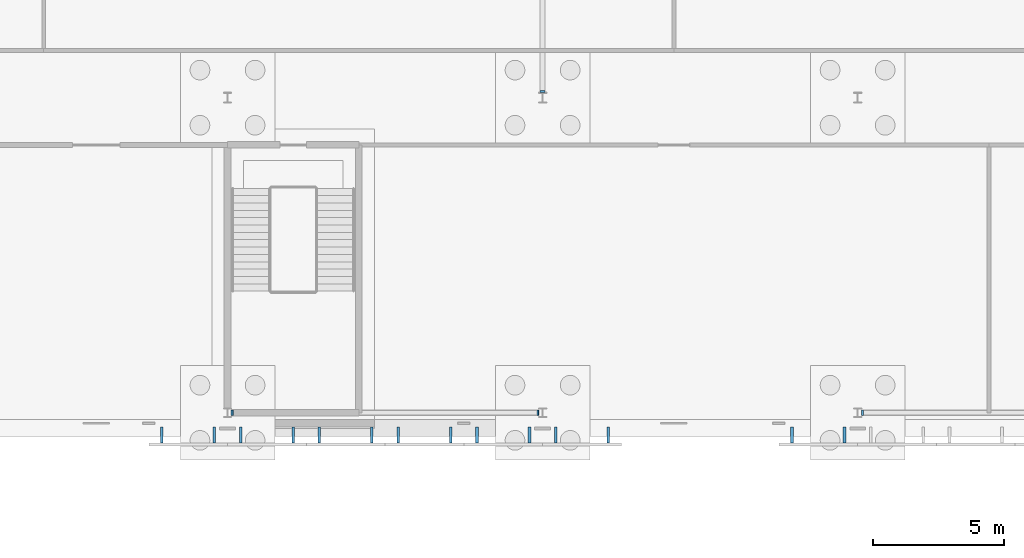
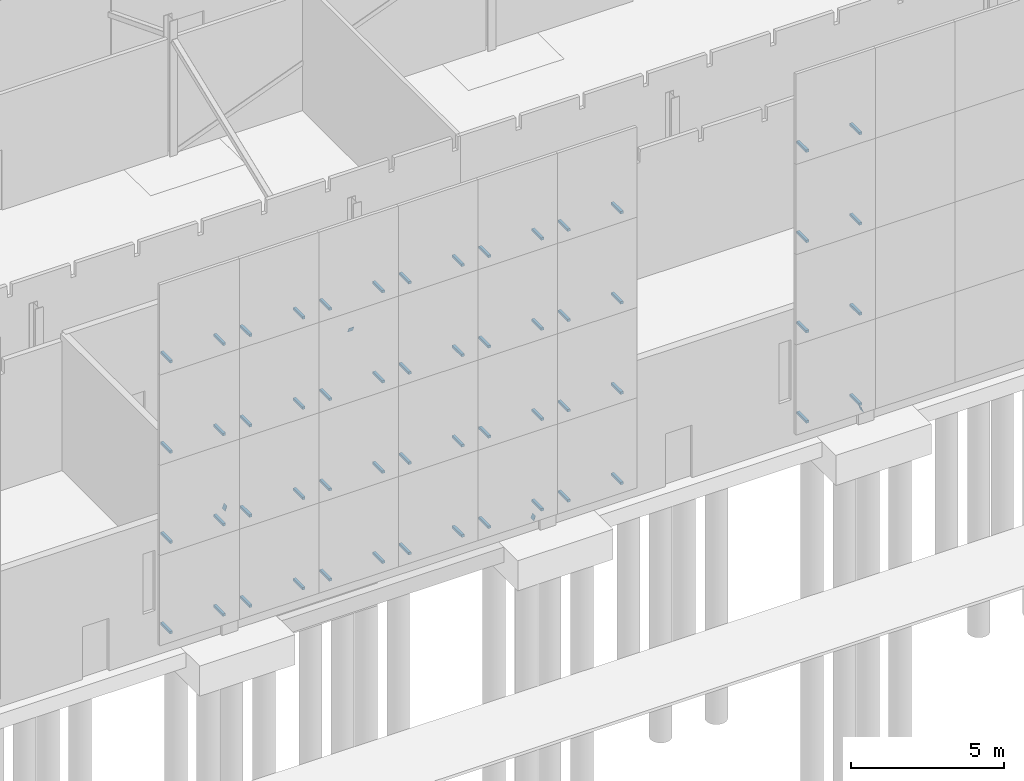
# One storey, part 98 of 132: 60 discrete accessories.
"""IFC4 building model written with IfcOpenShell, lengths in metres."""

from ifc_helpers import new_model, si_unit, direction, frame, origin, origin_2d, place, context, subcontext, project, spatial, rectangle, extrude, material, material_profile, profile_set, type_object, element, save


model = new_model("IFC4")

# Units and contexts
model_context = context("Model", 3, precision=1e-05, world=origin(), true_north=direction((0.0, 1.0)))
body_context = subcontext(model_context, "Body", "Model", "MODEL_VIEW")
ifc_project = project(units=[si_unit("LENGTHUNIT", "METRE"), si_unit("AREAUNIT", "SQUARE_METRE"), si_unit("VOLUMEUNIT", "CUBIC_METRE"), si_unit("PLANEANGLEUNIT", "RADIAN"), si_unit("MASSUNIT", "GRAM", prefix="KILO")], contexts=[model_context])

# Site, building, storey
site_placement = place(None, origin())
site = spatial("IfcSite", under=ifc_project, at=site_placement, CompositionType="ELEMENT")
building_placement = place(site_placement, origin())
building = spatial("IfcBuilding", under=site, at=building_placement, Name="Ravi Spectrum Wholesale Market", CompositionType="ELEMENT")
storey_placement = place(building_placement, origin())
storey = spatial("IfcBuildingStorey", under=building, at=storey_placement, Name="L00", CompositionType="ELEMENT", Elevation=0.0)

# Discrete accessories
ifc_material_1 = material(Name="Steel S355", Category="steel")
ifc_material_profile = material_profile(ifc_material_1, rectangle(XDim=0.199951171875, YDim=0.199951171875, at=origin_2d()))
ifc_profile_set = profile_set([ifc_material_profile], Name="Steel S355")
discrete_accessory_type_1 = type_object("IfcDiscreteAccessoryType", Name="End plate SHS 200x200x8", PredefinedType="BRACKET", material=ifc_profile_set)
for number, where, z_axis, x_axis, name in (
    (1, (234.185791015625, 18.0, 4.556640625), (-0.931242779706, 0.0, 0.364399348581), (0.0, -1.0, 0.0), "End plate"),
    (2, (245.814208984375, 18.0, 0.09326171875), (0.937994498829, 0.0, -0.346650140872), (0.0, 1.0, 0.0), "End plate"),
    (3, (258.185791015625, 18.0, 0.09326171875), (-0.937994498829, 0.0, -0.346650140872), (0.0, -1.0, 0.0), "End plate"),
    (4, (246.0, 30.236572265625, 0.093017578125), (0.0, -0.931242779706, -0.364399348581), (1.0, 0.0, 0.0), "End plate"),
):
    element("IfcDiscreteAccessory", number, at=place(storey_placement, frame(where, z_axis=z_axis, x_axis=x_axis)), inside=storey, type_object=discrete_accessory_type_1, Name=name, PredefinedType="BRACKET", context=body_context, shape_type="SweptSolid", body=[
        extrude(rectangle(XDim=0.199951171875, YDim=0.199951171875, at=origin_2d()), origin(), (0.0, 0.0, 1.0), 0.011962890625),
    ])
ifc_material_2 = material(Name="Steel S355", Category="steel")
discrete_accessory_type_2 = type_object("IfcDiscreteAccessoryType", Name="Steel angle bracket 100 x 115", PredefinedType="BRACKET", material=ifc_material_2)
for number, where, z_axis, x_axis, name in (
    (5, (231.5, 17.14990234375, 1.14990234375), (0.0, 0.0, 1.0), (1.0, 0.0, 0.0), "Screen bracket"),
    (6, (233.5, 17.14990234375, 1.14990234375), (0.0, 0.0, 1.0), (1.0, 0.0, 0.0), "Screen bracket"),
    (7, (231.5, 17.14990234375, 4.75), (0.0, 0.0, 1.0), (1.0, 0.0, 0.0), "Screen bracket"),
    (8, (233.5, 17.14990234375, 4.75), (0.0, 0.0, 1.0), (1.0, 0.0, 0.0), "Screen bracket"),
    (9, (231.5, 17.14990234375, 8.349853515625), (0.0, 0.0, 1.0), (1.0, 0.0, 0.0), "Screen bracket"),
    (10, (233.5, 17.14990234375, 8.349853515625), (0.0, 0.0, 1.0), (1.0, 0.0, 0.0), "Screen bracket"),
    (11, (231.5, 17.14990234375, 11.949951171875), (0.0, 0.0, 1.0), (1.0, 0.0, 0.0), "Screen bracket"),
    (12, (233.5, 17.14990234375, 11.949951171875), (0.0, 0.0, 1.0), (1.0, 0.0, 0.0), "Screen bracket"),
    (13, (234.5, 17.14990234375, 1.14990234375), (0.0, 0.0, 1.0), (1.0, 0.0, 0.0), "Screen bracket"),
    (14, (236.5, 17.14990234375, 1.14990234375), (0.0, 0.0, 1.0), (1.0, 0.0, 0.0), "Screen bracket"),
    (15, (234.5, 17.14990234375, 4.75), (0.0, 0.0, 1.0), (1.0, 0.0, 0.0), "Screen bracket"),
    (16, (236.5, 17.14990234375, 4.75), (0.0, 0.0, 1.0), (1.0, 0.0, 0.0), "Screen bracket"),
    (17, (234.5, 17.14990234375, 8.349853515625), (0.0, 0.0, 1.0), (1.0, 0.0, 0.0), "Screen bracket"),
    (18, (236.5, 17.14990234375, 8.349853515625), (0.0, 0.0, 1.0), (1.0, 0.0, 0.0), "Screen bracket"),
    (19, (234.5, 17.14990234375, 11.949951171875), (0.0, 0.0, 1.0), (1.0, 0.0, 0.0), "Screen bracket"),
    (20, (236.5, 17.14990234375, 11.949951171875), (0.0, 0.0, 1.0), (1.0, 0.0, 0.0), "Screen bracket"),
    (21, (237.5, 17.14990234375, 1.14990234375), (0.0, 0.0, 1.0), (1.0, 0.0, 0.0), "Screen bracket"),
    (22, (239.5, 17.14990234375, 1.14990234375), (0.0, 0.0, 1.0), (1.0, 0.0, 0.0), "Screen bracket"),
    (23, (237.5, 17.14990234375, 4.75), (0.0, 0.0, 1.0), (1.0, 0.0, 0.0), "Screen bracket"),
    (24, (239.5, 17.14990234375, 4.75), (0.0, 0.0, 1.0), (1.0, 0.0, 0.0), "Screen bracket"),
    (25, (237.5, 17.14990234375, 8.349853515625), (0.0, 0.0, 1.0), (1.0, 0.0, 0.0), "Screen bracket"),
    (26, (239.5, 17.14990234375, 8.349853515625), (0.0, 0.0, 1.0), (1.0, 0.0, 0.0), "Screen bracket"),
    (27, (237.5, 17.14990234375, 11.949951171875), (0.0, 0.0, 1.0), (1.0, 0.0, 0.0), "Screen bracket"),
    (28, (239.5, 17.14990234375, 11.949951171875), (0.0, 0.0, 1.0), (1.0, 0.0, 0.0), "Screen bracket"),
    (29, (240.5, 17.14990234375, 1.14990234375), (0.0, 0.0, 1.0), (1.0, 0.0, 0.0), "Screen bracket"),
    (30, (242.5, 17.14990234375, 1.14990234375), (0.0, 0.0, 1.0), (1.0, 0.0, 0.0), "Screen bracket"),
    (31, (240.5, 17.14990234375, 4.75), (0.0, 0.0, 1.0), (1.0, 0.0, 0.0), "Screen bracket"),
    (32, (242.5, 17.14990234375, 4.75), (0.0, 0.0, 1.0), (1.0, 0.0, 0.0), "Screen bracket"),
    (33, (240.5, 17.14990234375, 8.349853515625), (0.0, 0.0, 1.0), (1.0, 0.0, 0.0), "Screen bracket"),
    (34, (242.5, 17.14990234375, 8.349853515625), (0.0, 0.0, 1.0), (1.0, 0.0, 0.0), "Screen bracket"),
    (35, (240.5, 17.14990234375, 11.949951171875), (0.0, 0.0, 1.0), (1.0, 0.0, 0.0), "Screen bracket"),
    (36, (242.5, 17.14990234375, 11.949951171875), (0.0, 0.0, 1.0), (1.0, 0.0, 0.0), "Screen bracket"),
    (37, (243.5, 17.14990234375, 1.14990234375), (0.0, 0.0, 1.0), (1.0, 0.0, 0.0), "Screen bracket"),
    (38, (245.5, 17.14990234375, 1.14990234375), (0.0, 0.0, 1.0), (1.0, 0.0, 0.0), "Screen bracket"),
    (39, (243.5, 17.14990234375, 4.75), (0.0, 0.0, 1.0), (1.0, 0.0, 0.0), "Screen bracket"),
    (40, (245.5, 17.14990234375, 4.75), (0.0, 0.0, 1.0), (1.0, 0.0, 0.0), "Screen bracket"),
    (41, (243.5, 17.14990234375, 8.349853515625), (0.0, 0.0, 1.0), (1.0, 0.0, 0.0), "Screen bracket"),
    (42, (245.5, 17.14990234375, 8.349853515625), (0.0, 0.0, 1.0), (1.0, 0.0, 0.0), "Screen bracket"),
    (43, (243.5, 17.14990234375, 11.949951171875), (0.0, 0.0, 1.0), (1.0, 0.0, 0.0), "Screen bracket"),
    (44, (245.5, 17.14990234375, 11.949951171875), (0.0, 0.0, 1.0), (1.0, 0.0, 0.0), "Screen bracket"),
    (45, (246.5, 17.14990234375, 1.14990234375), (0.0, 0.0, 1.0), (1.0, 0.0, 0.0), "Screen bracket"),
    (46, (248.5, 17.14990234375, 1.14990234375), (0.0, 0.0, 1.0), (1.0, 0.0, 0.0), "Screen bracket"),
    (47, (246.5, 17.14990234375, 4.75), (0.0, 0.0, 1.0), (1.0, 0.0, 0.0), "Screen bracket"),
    (48, (248.5, 17.14990234375, 4.75), (0.0, 0.0, 1.0), (1.0, 0.0, 0.0), "Screen bracket"),
    (49, (246.5, 17.14990234375, 8.349853515625), (0.0, 0.0, 1.0), (1.0, 0.0, 0.0), "Screen bracket"),
    (50, (248.5, 17.14990234375, 8.349853515625), (0.0, 0.0, 1.0), (1.0, 0.0, 0.0), "Screen bracket"),
    (51, (246.5, 17.14990234375, 11.949951171875), (0.0, 0.0, 1.0), (1.0, 0.0, 0.0), "Screen bracket"),
    (52, (248.5, 17.14990234375, 11.949951171875), (0.0, 0.0, 1.0), (1.0, 0.0, 0.0), "Screen bracket"),
    (53, (255.5, 17.14990234375, 1.14990234375), (0.0, 0.0, 1.0), (1.0, 0.0, 0.0), "Screen bracket"),
    (54, (257.5, 17.14990234375, 1.14990234375), (0.0, 0.0, 1.0), (1.0, 0.0, 0.0), "Screen bracket"),
    (55, (255.5, 17.14990234375, 4.75), (0.0, 0.0, 1.0), (1.0, 0.0, 0.0), "Screen bracket"),
    (56, (257.5, 17.14990234375, 4.75), (0.0, 0.0, 1.0), (1.0, 0.0, 0.0), "Screen bracket"),
    (57, (255.5, 17.14990234375, 8.349853515625), (0.0, 0.0, 1.0), (1.0, 0.0, 0.0), "Screen bracket"),
    (58, (257.5, 17.14990234375, 8.349853515625), (0.0, 0.0, 1.0), (1.0, 0.0, 0.0), "Screen bracket"),
    (59, (255.5, 17.14990234375, 11.949951171875), (0.0, 0.0, 1.0), (1.0, 0.0, 0.0), "Screen bracket"),
    (60, (257.5, 17.14990234375, 11.949951171875), (0.0, 0.0, 1.0), (1.0, 0.0, 0.0), "Screen bracket"),
):
    element("IfcDiscreteAccessory", number, at=place(storey_placement, frame(where, z_axis=z_axis, x_axis=x_axis)), inside=storey, type_object=discrete_accessory_type_2, Name=name, PredefinedType="BRACKET", context=body_context, shape_type="SweptSolid", body=[
        extrude(rectangle(XDim=0.10009765625, YDim=0.6201171875, at=origin_2d()), origin(), (0.0, 0.0, 1.0), 0.10009765625),
    ])

save(model, "model.ifc")
